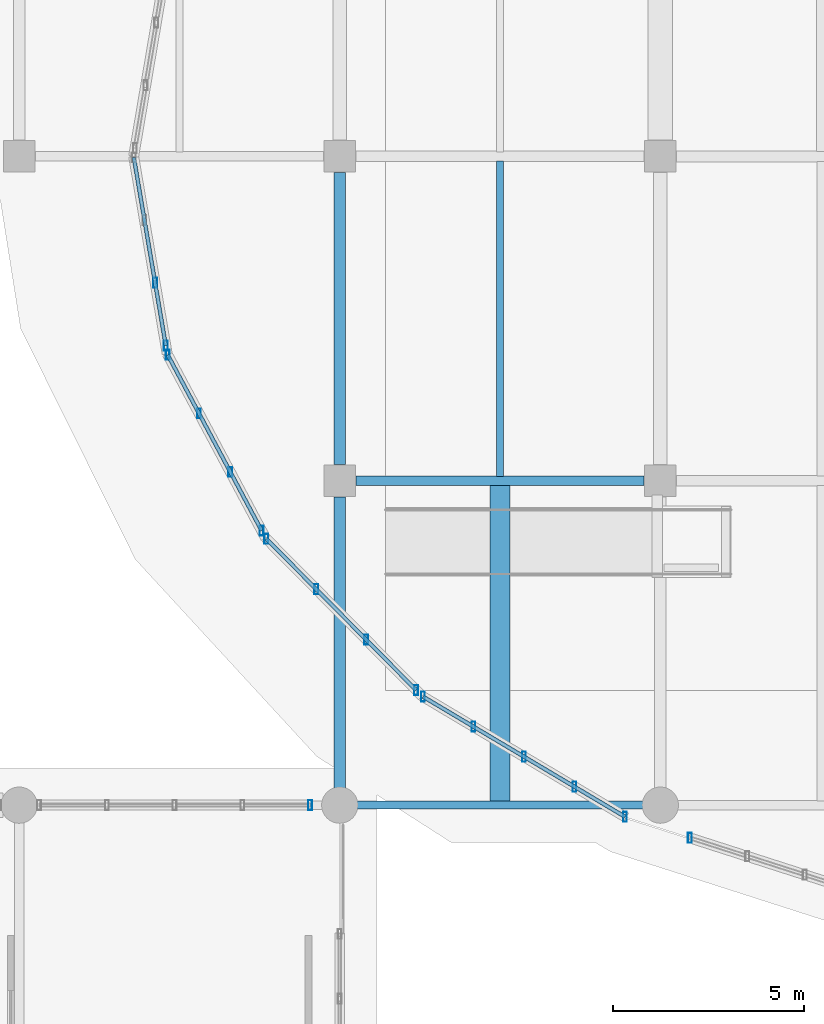
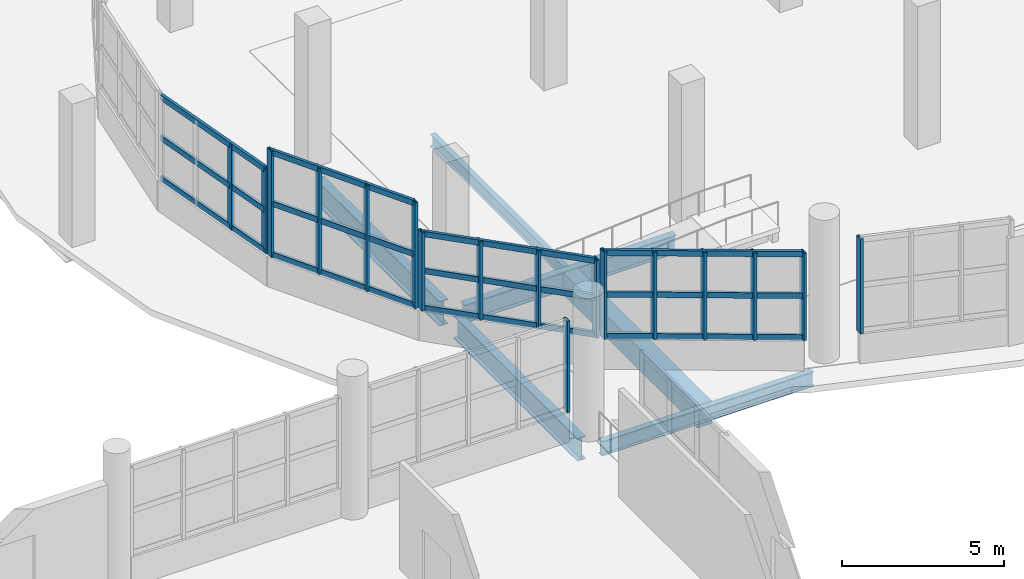
# One storey, part 6 of 107: 29 members, 6 beams, 6 elements without a shape of their own.
"""IFC4 building model written with IfcOpenShell, lengths in metres."""

from ifc_helpers import new_model, si_unit, direction, frame, origin, origin_2d, place, context, subcontext, project, spatial, rectangle, hollow_rectangle, i_section, extrude, material, material_profile, profile_set, type_object, element, aggregate, save


model = new_model("IFC4")

# Units and contexts
model_context = context("Model", 3, precision=1e-05, world=origin(), true_north=direction((0.0, 1.0)))
body_context = subcontext(model_context, "Body", "Model", "MODEL_VIEW")
ifc_project = project(units=[si_unit("LENGTHUNIT", "METRE"), si_unit("AREAUNIT", "SQUARE_METRE"), si_unit("VOLUMEUNIT", "CUBIC_METRE"), si_unit("PLANEANGLEUNIT", "RADIAN"), si_unit("MASSUNIT", "GRAM", prefix="KILO")], contexts=[model_context])

# Site, building, storey
site_placement = place(None, origin())
site = spatial("IfcSite", under=ifc_project, at=site_placement, CompositionType="ELEMENT")
building_placement = place(site_placement, origin())
building = spatial("IfcBuilding", under=site, at=building_placement, Name="Solvento Point Concert Hall", CompositionType="ELEMENT")
storey_placement = place(building_placement, origin())
storey = spatial("IfcBuildingStorey", under=building, at=storey_placement, Name="L00", CompositionType="ELEMENT", Elevation=0.0)

# Beams
ifc_material_1 = material(Name="Concrete C35/45", Category="concrete")
ifc_material_profile_1 = material_profile(ifc_material_1, rectangle(XDim=0.52001953125, YDim=0.840087890625, at=origin_2d()), Name="RC-BM-520X840")
ifc_profile_set_1 = profile_set([ifc_material_profile_1], Name="Concrete C35/45")
beam_type_1 = type_object("IfcBeamType", Name="Beam_RC_520x840", PredefinedType="BEAM", material=ifc_profile_set_1)
beam_1_placement = place(storey_placement, frame((45.0, 17.092041015625, -0.833984375), z_axis=(0.0, 1.0, 0.0), x_axis=(-1.0, 0.0, 0.0)))
element("IfcBeam", 1, at=beam_1_placement, inside=storey, type_object=beam_type_1, Name="Secondary floor joist B-54 L00", PredefinedType="BEAM", context=body_context, shape_type="SweptSolid", body=[
    extrude(rectangle(XDim=0.52001953125, YDim=0.840087890625, at=origin_2d()), origin(), (0.0, 0.0, 1.0), 8.294921875),
])
ifc_material_2 = material(Name="Structural Steel ASTM A992 Grade 50", Category="steel")
ifc_material_profile_2 = material_profile(ifc_material_2, i_section(OverallWidth=0.214111328125, OverallDepth=0.549072265625, WebThickness=0.0146484375, FlangeThickness=0.023681640625, at=origin_2d()), Name="W21X93")
ifc_profile_set_2 = profile_set([ifc_material_profile_2], Name="Structural Steel ASTM A992 Grade 50")
beam_type_2 = type_object("IfcBeamType", Name="Beam_W21X93", PredefinedType="BEAM", material=ifc_profile_set_2)
beam_2_placement = place(storey_placement, frame((41.22412109375, 17.0, -0.6884765625), z_axis=(1.0, 0.0, 0.0), x_axis=(0.0, 1.0, 0.0)))
element("IfcBeam", 2, at=beam_2_placement, inside=storey, type_object=beam_type_2, Name="Primary girder B-48 L00", PredefinedType="BEAM", context=body_context, shape_type="SweptSolid", body=[
    extrude(i_section(OverallWidth=0.214111328125, OverallDepth=0.549072265625, WebThickness=0.0146484375, FlangeThickness=0.023681640625, at=origin_2d()), origin(), (0.0, 0.0, 1.0), 7.5517578125),
])
ifc_material_3 = material(Name="Structural Steel ASTM A992 Grade 50", Category="steel")
ifc_material_profile_3 = material_profile(ifc_material_3, i_section(OverallWidth=0.256103515625, OverallDepth=0.693115234375, WebThickness=0.014404296875, FlangeThickness=0.023681640625, at=origin_2d()), Name="W27X114")
ifc_profile_set_3 = profile_set([ifc_material_profile_3], Name="Structural Steel ASTM A992 Grade 50")
beam_type_3 = type_object("IfcBeamType", Name="Girder_W27X114", PredefinedType="USERDEFINED", material=ifc_profile_set_3)
beam_3_placement = place(storey_placement, frame((41.22412109375, 25.5, -0.760498046875), z_axis=(1.0, 0.0, 0.0), x_axis=(0.0, 1.0, 0.0)))
element("IfcBeam", 3, at=beam_3_placement, inside=storey, type_object=beam_type_3, Name="Primary girder B-23 L00", ObjectType="GIRDER", PredefinedType="USERDEFINED", context=body_context, shape_type="SweptSolid", body=[
    extrude(i_section(OverallWidth=0.256103515625, OverallDepth=0.693115234375, WebThickness=0.014404296875, FlangeThickness=0.023681640625, at=origin_2d()), origin(), (0.0, 0.0, 1.0), 7.5517578125),
])
ifc_material_4 = material(Name="Structural Steel ASTM A992 Grade 50", Category="steel")
ifc_material_profile_4 = material_profile(ifc_material_4, i_section(OverallWidth=0.2919921875, OverallDepth=0.85888671875, WebThickness=0.01708984375, FlangeThickness=0.031005859375, at=origin_2d()), Name="W33X169")
ifc_profile_set_4 = profile_set([ifc_material_profile_4], Name="Structural Steel ASTM A992 Grade 50")
beam_type_4 = type_object("IfcBeamType", Name="Girder_W33X169", PredefinedType="USERDEFINED", material=ifc_profile_set_4)
beam_4_placement = place(storey_placement, frame((40.800048828125, 17.424072265625, -0.843505859375), z_axis=(0.0, 1.0, 0.0), x_axis=(-1.0, 0.0, 0.0)))
element("IfcBeam", 4, at=beam_4_placement, inside=storey, type_object=beam_type_4, Name="Primary girder B-33 L00", ObjectType="GIRDER", PredefinedType="USERDEFINED", context=body_context, shape_type="SweptSolid", body=[
    extrude(i_section(OverallWidth=0.2919921875, OverallDepth=0.85888671875, WebThickness=0.01708984375, FlangeThickness=0.031005859375, at=origin_2d()), origin(), (0.0, 0.0, 1.0), 7.65185546875),
])
ifc_material_5 = material(Name="Structural Steel ASTM A992 Grade 50", Category="steel")
ifc_material_profile_5 = material_profile(ifc_material_5, i_section(OverallWidth=0.3076171875, OverallDepth=0.927001953125, WebThickness=0.019287109375, FlangeThickness=0.031982421875, at=origin_2d()), Name="W36X194")
ifc_profile_set_5 = profile_set([ifc_material_profile_5], Name="Structural Steel ASTM A992 Grade 50")
beam_type_5 = type_object("IfcBeamType", Name="Girder_W36X194", PredefinedType="USERDEFINED", material=ifc_profile_set_5)
beam_5_placement = place(storey_placement, frame((40.800048828125, 25.924072265625, -0.87744140625), z_axis=(0.0, 1.0, 0.0), x_axis=(-1.0, 0.0, 0.0)))
element("IfcBeam", 5, at=beam_5_placement, inside=storey, type_object=beam_type_5, Name="Primary girder B-61 L00", ObjectType="GIRDER", PredefinedType="USERDEFINED", context=body_context, shape_type="SweptSolid", body=[
    extrude(i_section(OverallWidth=0.3076171875, OverallDepth=0.927001953125, WebThickness=0.019287109375, FlangeThickness=0.031982421875, at=origin_2d()), origin(), (0.0, 0.0, 1.0), 7.65185546875),
])
ifc_material_6 = material(Name="Structural Steel ASTM A992 Grade 50", Category="steel")
ifc_material_profile_6 = material_profile(ifc_material_6, i_section(OverallWidth=0.1904296875, OverallDepth=0.45703125, WebThickness=0.009033203125, FlangeThickness=0.014404296875, at=origin_2d()), Name="W18X50")
ifc_profile_set_6 = profile_set([ifc_material_profile_6], Name="Structural Steel ASTM A992 Grade 50")
beam_type_6 = type_object("IfcBeamType", Name="Joist_W18X50", PredefinedType="JOIST", material=ifc_profile_set_6)
beam_6_placement = place(storey_placement, frame((45.0, 25.613037109375, -0.642578125), z_axis=(0.0, 1.0, 0.0), x_axis=(-1.0, 0.0, 0.0)))
element("IfcBeam", 6, at=beam_6_placement, inside=storey, type_object=beam_type_6, Name="Secondary floor joist B-66 L00", PredefinedType="JOIST", context=body_context, shape_type="SweptSolid", body=[
    extrude(i_section(OverallWidth=0.1904296875, OverallDepth=0.45703125, WebThickness=0.009033203125, FlangeThickness=0.014404296875, at=origin_2d()), origin(), (0.0, 0.0, 1.0), 8.26806640625),
])

# Curtain wall, member
ifc_material_7 = material(Name="Anodized Bronze Aluminium", Category="aluminium")
curtain_wall_type = type_object("IfcCurtainWallType", Name="CurtainWall_FoyerL00", PredefinedType="USERDEFINED", material=ifc_material_7)
curtain_wall_1_placement = place(storey_placement, origin())
curtain_wall_1 = element("IfcCurtainWall", 7, at=curtain_wall_1_placement, inside=storey, type_object=curtain_wall_type, Name="Unitised curtain wall CW-29 UCW-L00-001", ObjectType="UNITISED CURTAIN WALL", PredefinedType="USERDEFINED")
ifc_material_8 = material(Name="Anodized Bronze Aluminium", Category="aluminium")
ifc_material_profile_7 = material_profile(ifc_material_8, hollow_rectangle(XDim=0.10009765625, YDim=0.260009765625, WallThickness=0.0048828125, at=origin_2d()), Name="CW-MUL-100X260")
ifc_profile_set_7 = profile_set([ifc_material_profile_7], Name="Anodized Bronze Aluminium")
member_type_1 = type_object("IfcMemberType", Name="Mullion_100x260", PredefinedType="MULLION", material=ifc_profile_set_7)
member_1_placement = place(storey_placement, frame((49.9736328125, 16.14208984375, 1.1201171875), z_axis=(0.0, 0.0, 1.0), x_axis=(1.0, 0.0, 0.0)))
member_1 = element("IfcMember", 8, at=member_1_placement, type_object=member_type_1, Name="Curtain wall mullion ML-03", PredefinedType="MULLION", context=body_context, shape_type="SweptSolid", body=[
    extrude(hollow_rectangle(XDim=0.10009765625, YDim=0.260009765625, WallThickness=0.0048828125, at=origin_2d()), origin(), (0.0, 0.0, 1.0), 3.577392578125),
])
aggregate(curtain_wall_1, [member_1])

# Curtain wall, members
curtain_wall_2_placement = place(storey_placement, origin())
curtain_wall_2 = element("IfcCurtainWall", 9, at=curtain_wall_2_placement, inside=storey, type_object=curtain_wall_type, Name="Unitised curtain wall CW-29 UCW-L00-002", ObjectType="UNITISED CURTAIN WALL", PredefinedType="USERDEFINED")
member_2_placement = place(storey_placement, frame((48.274169921875, 16.69482421875, 1.1201171875), z_axis=(0.0, 0.0, 1.0), x_axis=(1.0, 0.0, 0.0)))
member_2 = element("IfcMember", 10, at=member_2_placement, type_object=member_type_1, Name="Curtain wall mullion ML-03", PredefinedType="MULLION", context=body_context, shape_type="SweptSolid", body=[
    extrude(hollow_rectangle(XDim=0.10009765625, YDim=0.260009765625, WallThickness=0.0048828125, at=origin_2d()), origin(), (0.0, 0.0, 1.0), 3.290771484375),
])
member_3_placement = place(storey_placement, frame((46.951416015625, 17.481689453125, 1.1201171875), z_axis=(0.0, 0.0, 1.0), x_axis=(1.0, 0.0, 0.0)))
member_3 = element("IfcMember", 11, at=member_3_placement, type_object=member_type_1, Name="Curtain wall mullion ML-03", PredefinedType="MULLION", context=body_context, shape_type="SweptSolid", body=[
    extrude(hollow_rectangle(XDim=0.10009765625, YDim=0.260009765625, WallThickness=0.0048828125, at=origin_2d()), origin(), (0.0, 0.0, 1.0), 3.290771484375),
])
member_4_placement = place(storey_placement, frame((45.62841796875, 18.268798828125, 1.1201171875), z_axis=(0.0, 0.0, 1.0), x_axis=(1.0, 0.0, 0.0)))
member_4 = element("IfcMember", 12, at=member_4_placement, type_object=member_type_1, Name="Curtain wall mullion ML-03", PredefinedType="MULLION", context=body_context, shape_type="SweptSolid", body=[
    extrude(hollow_rectangle(XDim=0.10009765625, YDim=0.260009765625, WallThickness=0.0048828125, at=origin_2d()), origin(), (0.0, 0.0, 1.0), 3.290771484375),
])
member_5_placement = place(storey_placement, frame((44.305419921875, 19.0556640625, 1.1201171875), z_axis=(0.0, 0.0, 1.0), x_axis=(1.0, 0.0, 0.0)))
member_5 = element("IfcMember", 13, at=member_5_placement, type_object=member_type_1, Name="Curtain wall mullion ML-03", PredefinedType="MULLION", context=body_context, shape_type="SweptSolid", body=[
    extrude(hollow_rectangle(XDim=0.10009765625, YDim=0.260009765625, WallThickness=0.0048828125, at=origin_2d()), origin(), (0.0, 0.0, 1.0), 3.290771484375),
])
member_6_placement = place(storey_placement, frame((42.982421875, 19.842529296875, 1.1201171875), z_axis=(0.0, 0.0, 1.0), x_axis=(1.0, 0.0, 0.0)))
member_6 = element("IfcMember", 14, at=member_6_placement, type_object=member_type_1, Name="Curtain wall mullion ML-03", PredefinedType="MULLION", context=body_context, shape_type="SweptSolid", body=[
    extrude(hollow_rectangle(XDim=0.10009765625, YDim=0.260009765625, WallThickness=0.0048828125, at=origin_2d()), origin(), (0.0, 0.0, 1.0), 3.290771484375),
])

curtain_wall_3_placement = place(storey_placement, origin())
curtain_wall_3 = element("IfcCurtainWall", 15, at=curtain_wall_3_placement, inside=storey, type_object=curtain_wall_type, Name="Unitised curtain wall CW-29 UCW-L00-003", ObjectType="UNITISED CURTAIN WALL", PredefinedType="USERDEFINED")
member_7_placement = place(storey_placement, frame((42.8017578125, 20.014404296875, 1.1201171875), z_axis=(0.0, 0.0, 1.0), x_axis=(1.0, 0.0, 0.0)))
member_7 = element("IfcMember", 16, at=member_7_placement, type_object=member_type_1, Name="Curtain wall mullion ML-03", PredefinedType="MULLION", context=body_context, shape_type="SweptSolid", body=[
    extrude(hollow_rectangle(XDim=0.10009765625, YDim=0.260009765625, WallThickness=0.0048828125, at=origin_2d()), origin(), (0.0, 0.0, 1.0), 2.94189453125),
])
member_8_placement = place(storey_placement, frame((41.493896484375, 21.335693359375, 1.1201171875), z_axis=(0.0, 0.0, 1.0), x_axis=(1.0, 0.0, 0.0)))
member_8 = element("IfcMember", 17, at=member_8_placement, type_object=member_type_1, Name="Curtain wall mullion ML-03", PredefinedType="MULLION", context=body_context, shape_type="SweptSolid", body=[
    extrude(hollow_rectangle(XDim=0.10009765625, YDim=0.260009765625, WallThickness=0.0048828125, at=origin_2d()), origin(), (0.0, 0.0, 1.0), 2.94189453125),
])
member_9_placement = place(storey_placement, frame((40.185791015625, 22.6572265625, 1.1201171875), z_axis=(0.0, 0.0, 1.0), x_axis=(1.0, 0.0, 0.0)))
member_9 = element("IfcMember", 18, at=member_9_placement, type_object=member_type_1, Name="Curtain wall mullion ML-03", PredefinedType="MULLION", context=body_context, shape_type="SweptSolid", body=[
    extrude(hollow_rectangle(XDim=0.10009765625, YDim=0.260009765625, WallThickness=0.0048828125, at=origin_2d()), origin(), (0.0, 0.0, 1.0), 2.94189453125),
])
member_10_placement = place(storey_placement, frame((38.877685546875, 23.978759765625, 1.1201171875), z_axis=(0.0, 0.0, 1.0), x_axis=(1.0, 0.0, 0.0)))
member_10 = element("IfcMember", 19, at=member_10_placement, type_object=member_type_1, Name="Curtain wall mullion ML-03", PredefinedType="MULLION", context=body_context, shape_type="SweptSolid", body=[
    extrude(hollow_rectangle(XDim=0.10009765625, YDim=0.260009765625, WallThickness=0.0048828125, at=origin_2d()), origin(), (0.0, 0.0, 1.0), 2.94189453125),
])

curtain_wall_4_placement = place(storey_placement, origin())
curtain_wall_4 = element("IfcCurtainWall", 20, at=curtain_wall_4_placement, inside=storey, type_object=curtain_wall_type, Name="Unitised curtain wall CW-29 UCW-L00-004", ObjectType="UNITISED CURTAIN WALL", PredefinedType="USERDEFINED")
member_11_placement = place(storey_placement, frame((38.752685546875, 24.194091796875, 1.1201171875), z_axis=(0.0, 0.0, 1.0), x_axis=(1.0, 0.0, 0.0)))
member_11 = element("IfcMember", 21, at=member_11_placement, type_object=member_type_1, Name="Curtain wall mullion ML-03", PredefinedType="MULLION", context=body_context, shape_type="SweptSolid", body=[
    extrude(hollow_rectangle(XDim=0.10009765625, YDim=0.260009765625, WallThickness=0.0048828125, at=origin_2d()), origin(), (0.0, 0.0, 1.0), 4.0),
])
member_12_placement = place(storey_placement, frame((37.93310546875, 25.728515625, 1.1201171875), z_axis=(0.0, 0.0, 1.0), x_axis=(1.0, 0.0, 0.0)))
member_12 = element("IfcMember", 22, at=member_12_placement, type_object=member_type_1, Name="Curtain wall mullion ML-03", PredefinedType="MULLION", context=body_context, shape_type="SweptSolid", body=[
    extrude(hollow_rectangle(XDim=0.10009765625, YDim=0.260009765625, WallThickness=0.0048828125, at=origin_2d()), origin(), (0.0, 0.0, 1.0), 4.0),
])
member_13_placement = place(storey_placement, frame((37.113037109375, 27.2626953125, 1.1201171875), z_axis=(0.0, 0.0, 1.0), x_axis=(1.0, 0.0, 0.0)))
member_13 = element("IfcMember", 23, at=member_13_placement, type_object=member_type_1, Name="Curtain wall mullion ML-03", PredefinedType="MULLION", context=body_context, shape_type="SweptSolid", body=[
    extrude(hollow_rectangle(XDim=0.10009765625, YDim=0.260009765625, WallThickness=0.0048828125, at=origin_2d()), origin(), (0.0, 0.0, 1.0), 4.0),
])
member_14_placement = place(storey_placement, frame((36.293212890625, 28.797119140625, 1.1201171875), z_axis=(0.0, 0.0, 1.0), x_axis=(1.0, 0.0, 0.0)))
member_14 = element("IfcMember", 24, at=member_14_placement, type_object=member_type_1, Name="Curtain wall mullion ML-03", PredefinedType="MULLION", context=body_context, shape_type="SweptSolid", body=[
    extrude(hollow_rectangle(XDim=0.10009765625, YDim=0.260009765625, WallThickness=0.0048828125, at=origin_2d()), origin(), (0.0, 0.0, 1.0), 4.0),
])

curtain_wall_5_placement = place(storey_placement, origin())
curtain_wall_5 = element("IfcCurtainWall", 25, at=curtain_wall_5_placement, inside=storey, type_object=curtain_wall_type, Name="Unitised curtain wall CW-29 UCW-L00-005", ObjectType="UNITISED CURTAIN WALL", PredefinedType="USERDEFINED")
member_15_placement = place(storey_placement, frame((36.2421875, 29.04052734375, 1.1201171875), z_axis=(0.0, 0.0, 1.0), x_axis=(1.0, 0.0, 0.0)))
member_15 = element("IfcMember", 26, at=member_15_placement, type_object=member_type_1, Name="Curtain wall mullion ML-03", PredefinedType="MULLION", context=body_context, shape_type="SweptSolid", body=[
    extrude(hollow_rectangle(XDim=0.10009765625, YDim=0.260009765625, WallThickness=0.0048828125, at=origin_2d()), origin(), (0.0, 0.0, 1.0), 3.2138671875),
])
member_16_placement = place(storey_placement, frame((35.963134765625, 30.683837890625, 1.1201171875), z_axis=(0.0, 0.0, 1.0), x_axis=(1.0, 0.0, 0.0)))
member_16 = element("IfcMember", 27, at=member_16_placement, type_object=member_type_1, Name="Curtain wall mullion ML-03", PredefinedType="MULLION", context=body_context, shape_type="SweptSolid", body=[
    extrude(hollow_rectangle(XDim=0.10009765625, YDim=0.260009765625, WallThickness=0.0048828125, at=origin_2d()), origin(), (0.0, 0.0, 1.0), 3.2138671875),
])

# Curtain wall, member
curtain_wall_6_placement = place(storey_placement, origin())
curtain_wall_6 = element("IfcCurtainWall", 28, at=curtain_wall_6_placement, inside=storey, type_object=curtain_wall_type, Name="Unitised curtain wall CW-29 UCW-L00-060", ObjectType="UNITISED CURTAIN WALL", PredefinedType="USERDEFINED")
member_17_placement = place(storey_placement, frame((40.02490234375, 17.0, 1.1201171875), z_axis=(0.0, 0.0, 1.0), x_axis=(1.0, 0.0, 0.0)))
member_17 = element("IfcMember", 29, at=member_17_placement, type_object=member_type_1, Name="Curtain wall mullion ML-03", PredefinedType="MULLION", context=body_context, shape_type="SweptSolid", body=[
    extrude(hollow_rectangle(XDim=0.10009765625, YDim=0.260009765625, WallThickness=0.0048828125, at=origin_2d()), origin(), (0.0, 0.0, 1.0), 3.434814453125),
])
aggregate(curtain_wall_6, [member_17])

# Member
ifc_material_9 = material(Name="Anodized Bronze Aluminium", Category="aluminium")
ifc_material_profile_8 = material_profile(ifc_material_9, hollow_rectangle(XDim=0.10009765625, YDim=0.2099609375, WallThickness=0.0048828125, at=origin_2d()), Name="CW-TRN-100X210")
ifc_profile_set_8 = profile_set([ifc_material_profile_8], Name="Anodized Bronze Aluminium")
member_type_2 = type_object("IfcMemberType", Name="Transom_100x210", PredefinedType="USERDEFINED", material=ifc_profile_set_8)
member_18_placement = place(storey_placement, frame((48.274169921875, 16.69482421875, 1.199951171875), z_axis=(-0.859445958072, 0.511226608416, 0.0), x_axis=(-0.511226608416, -0.859445958072, 0.0)))
member_18 = element("IfcMember", 30, at=member_18_placement, type_object=member_type_2, Name="Curtain wall transom TR-03", ObjectType="TRANSOM", PredefinedType="USERDEFINED", context=body_context, shape_type="SweptSolid", body=[
    extrude(hollow_rectangle(XDim=0.10009765625, YDim=0.2099609375, WallThickness=0.0048828125, at=origin_2d()), origin(), (0.0, 0.0, 1.0), 6.1572265625),
])

member_19_placement = place(storey_placement, frame((48.274169921875, 16.69482421875, 2.765380859375), z_axis=(-0.859445958072, 0.511226608416, 0.0), x_axis=(-0.511226608416, -0.859445958072, 0.0)))
member_19 = element("IfcMember", 31, at=member_19_placement, type_object=member_type_2, Name="Curtain wall transom TR-03", ObjectType="TRANSOM", PredefinedType="USERDEFINED", context=body_context, shape_type="SweptSolid", body=[
    extrude(hollow_rectangle(XDim=0.10009765625, YDim=0.2099609375, WallThickness=0.0048828125, at=origin_2d()), origin(), (0.0, 0.0, 1.0), 6.1572265625),
])

member_20_placement = place(storey_placement, frame((48.274169921875, 16.69482421875, 4.3310546875), z_axis=(-0.859445958072, 0.511226608416, 0.0), x_axis=(-0.511226608416, -0.859445958072, 0.0)))
member_20 = element("IfcMember", 32, at=member_20_placement, type_object=member_type_2, Name="Curtain wall transom TR-03", ObjectType="TRANSOM", PredefinedType="USERDEFINED", context=body_context, shape_type="SweptSolid", body=[
    extrude(hollow_rectangle(XDim=0.10009765625, YDim=0.2099609375, WallThickness=0.0048828125, at=origin_2d()), origin(), (0.0, 0.0, 1.0), 6.1572265625),
])

aggregate(curtain_wall_2, [member_2, member_3, member_4, member_5, member_6, member_18, member_19, member_20])

member_21_placement = place(storey_placement, frame((42.8017578125, 20.014404296875, 1.199951171875), z_axis=(-0.703486682979, 0.71070844013, 0.0), x_axis=(-0.71070844013, -0.703486682979, 0.0)))
member_21 = element("IfcMember", 33, at=member_21_placement, type_object=member_type_2, Name="Curtain wall transom TR-03", ObjectType="TRANSOM", PredefinedType="USERDEFINED", context=body_context, shape_type="SweptSolid", body=[
    extrude(hollow_rectangle(XDim=0.10009765625, YDim=0.2099609375, WallThickness=0.0048828125, at=origin_2d()), origin(), (0.0, 0.0, 1.0), 5.578125),
])

member_22_placement = place(storey_placement, frame((42.8017578125, 20.014404296875, 2.591064453125), z_axis=(-0.703486682979, 0.71070844013, 0.0), x_axis=(-0.71070844013, -0.703486682979, 0.0)))
member_22 = element("IfcMember", 34, at=member_22_placement, type_object=member_type_2, Name="Curtain wall transom TR-03", ObjectType="TRANSOM", PredefinedType="USERDEFINED", context=body_context, shape_type="SweptSolid", body=[
    extrude(hollow_rectangle(XDim=0.10009765625, YDim=0.2099609375, WallThickness=0.0048828125, at=origin_2d()), origin(), (0.0, 0.0, 1.0), 5.578125),
])

member_23_placement = place(storey_placement, frame((42.8017578125, 20.014404296875, 3.98193359375), z_axis=(-0.703486682979, 0.71070844013, 0.0), x_axis=(-0.71070844013, -0.703486682979, 0.0)))
member_23 = element("IfcMember", 35, at=member_23_placement, type_object=member_type_2, Name="Curtain wall transom TR-03", ObjectType="TRANSOM", PredefinedType="USERDEFINED", context=body_context, shape_type="SweptSolid", body=[
    extrude(hollow_rectangle(XDim=0.10009765625, YDim=0.2099609375, WallThickness=0.0048828125, at=origin_2d()), origin(), (0.0, 0.0, 1.0), 5.578125),
])

aggregate(curtain_wall_3, [member_7, member_8, member_9, member_10, member_21, member_22, member_23])

member_24_placement = place(storey_placement, frame((38.752685546875, 24.194091796875, 1.199951171875), z_axis=(-0.471263091256, 0.881992686375, 0.0), x_axis=(-0.881992686375, -0.471263091256, 0.0)))
member_24 = element("IfcMember", 36, at=member_24_placement, type_object=member_type_2, Name="Curtain wall transom TR-03", ObjectType="TRANSOM", PredefinedType="USERDEFINED", context=body_context, shape_type="SweptSolid", body=[
    extrude(hollow_rectangle(XDim=0.10009765625, YDim=0.2099609375, WallThickness=0.0048828125, at=origin_2d()), origin(), (0.0, 0.0, 1.0), 5.218994140625),
])

member_25_placement = place(storey_placement, frame((38.752685546875, 24.194091796875, 3.1201171875), z_axis=(-0.471263091256, 0.881992686375, 0.0), x_axis=(-0.881992686375, -0.471263091256, 0.0)))
member_25 = element("IfcMember", 37, at=member_25_placement, type_object=member_type_2, Name="Curtain wall transom TR-03", ObjectType="TRANSOM", PredefinedType="USERDEFINED", context=body_context, shape_type="SweptSolid", body=[
    extrude(hollow_rectangle(XDim=0.10009765625, YDim=0.2099609375, WallThickness=0.0048828125, at=origin_2d()), origin(), (0.0, 0.0, 1.0), 5.218994140625),
])

member_26_placement = place(storey_placement, frame((38.752685546875, 24.194091796875, 5.0400390625), z_axis=(-0.471263091256, 0.881992686375, 0.0), x_axis=(-0.881992686375, -0.471263091256, 0.0)))
member_26 = element("IfcMember", 38, at=member_26_placement, type_object=member_type_2, Name="Curtain wall transom TR-03", ObjectType="TRANSOM", PredefinedType="USERDEFINED", context=body_context, shape_type="SweptSolid", body=[
    extrude(hollow_rectangle(XDim=0.10009765625, YDim=0.2099609375, WallThickness=0.0048828125, at=origin_2d()), origin(), (0.0, 0.0, 1.0), 5.218994140625),
])

aggregate(curtain_wall_4, [member_11, member_12, member_13, member_14, member_24, member_25, member_26])

member_27_placement = place(storey_placement, frame((36.2421875, 29.04052734375, 1.199951171875), z_axis=(-0.167414699656, 0.985886564641, 0.0), x_axis=(-0.985886564641, -0.167414699656, 0.0)))
member_27 = element("IfcMember", 39, at=member_27_placement, type_object=member_type_2, Name="Curtain wall transom TR-03", ObjectType="TRANSOM", PredefinedType="USERDEFINED", context=body_context, shape_type="SweptSolid", body=[
    extrude(hollow_rectangle(XDim=0.10009765625, YDim=0.2099609375, WallThickness=0.0048828125, at=origin_2d()), origin(), (0.0, 0.0, 1.0), 5.00048828125),
])

member_28_placement = place(storey_placement, frame((36.2421875, 29.04052734375, 2.72705078125), z_axis=(-0.167414699656, 0.985886564641, 0.0), x_axis=(-0.985886564641, -0.167414699656, 0.0)))
member_28 = element("IfcMember", 40, at=member_28_placement, type_object=member_type_2, Name="Curtain wall transom TR-03", ObjectType="TRANSOM", PredefinedType="USERDEFINED", context=body_context, shape_type="SweptSolid", body=[
    extrude(hollow_rectangle(XDim=0.10009765625, YDim=0.2099609375, WallThickness=0.0048828125, at=origin_2d()), origin(), (0.0, 0.0, 1.0), 5.00048828125),
])

member_29_placement = place(storey_placement, frame((36.2421875, 29.04052734375, 4.25390625), z_axis=(-0.167414699656, 0.985886564641, 0.0), x_axis=(-0.985886564641, -0.167414699656, 0.0)))
member_29 = element("IfcMember", 41, at=member_29_placement, type_object=member_type_2, Name="Curtain wall transom TR-03", ObjectType="TRANSOM", PredefinedType="USERDEFINED", context=body_context, shape_type="SweptSolid", body=[
    extrude(hollow_rectangle(XDim=0.10009765625, YDim=0.2099609375, WallThickness=0.0048828125, at=origin_2d()), origin(), (0.0, 0.0, 1.0), 5.00048828125),
])

aggregate(curtain_wall_5, [member_15, member_16, member_27, member_28, member_29])

save(model, "model.ifc")
